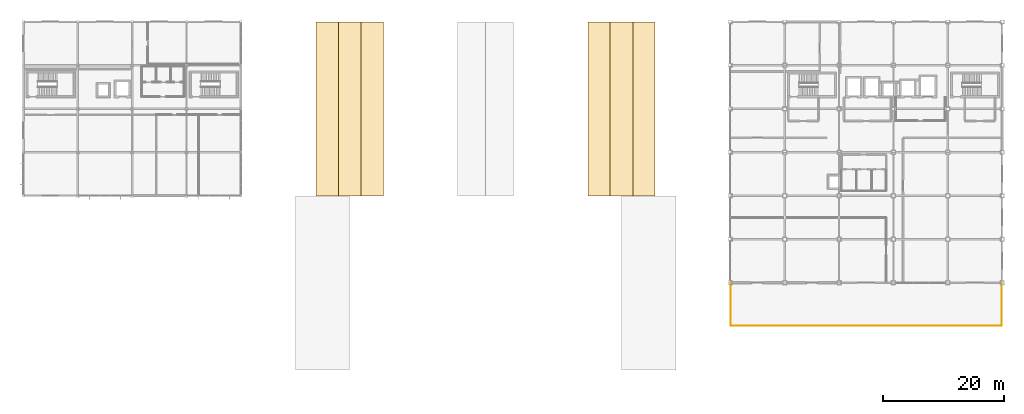
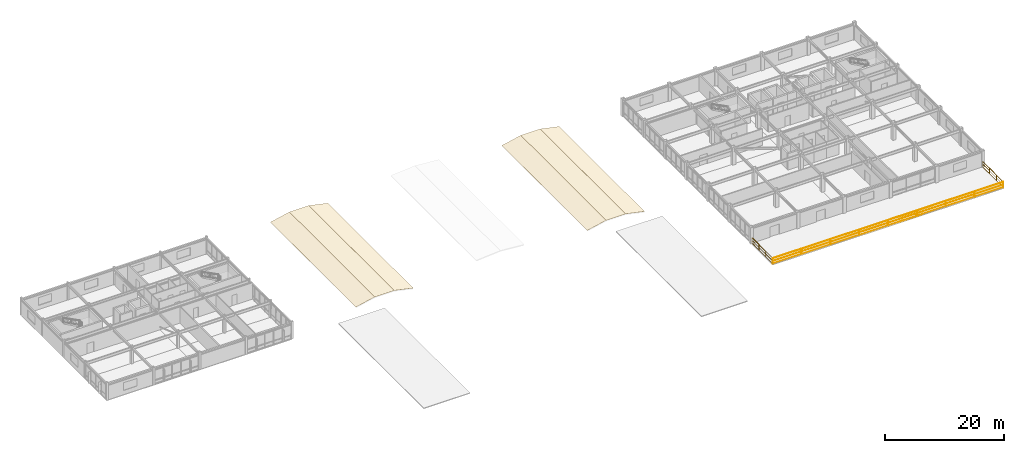
# One storey, part 33 of 34: 6 coverings, 3 railings.
"""IFC4 building model written with IfcOpenShell, lengths in metres."""

from ifc_helpers import new_model, si_unit, direction, frame, origin, origin_2d, place, context, subcontext, project, spatial, polyline, rectangle, outline, extrude, material, layer, layer_set, type_object, element, save


model = new_model("IFC4")

# Units and contexts
model_context = context("Model", 3, precision=1e-05, world=origin(), true_north=direction((0.0, 1.0)))
body_context = subcontext(model_context, "Body", "Model", "MODEL_VIEW")
ifc_project = project(units=[si_unit("LENGTHUNIT", "METRE"), si_unit("AREAUNIT", "SQUARE_METRE"), si_unit("VOLUMEUNIT", "CUBIC_METRE"), si_unit("PLANEANGLEUNIT", "RADIAN"), si_unit("MASSUNIT", "GRAM", prefix="KILO")], contexts=[model_context])

# Site, building, storey
site_placement = place(None, origin())
site = spatial("IfcSite", under=ifc_project, at=site_placement, CompositionType="ELEMENT")
building_placement = place(site_placement, origin())
building = spatial("IfcBuilding", under=site, at=building_placement, Name="Kazanami Central Library", CompositionType="ELEMENT")
storey_placement = place(building_placement, frame((0.0, 0.0, 17.0)))
storey = spatial("IfcBuildingStorey", under=building, at=storey_placement, Name="L05", CompositionType="ELEMENT", Elevation=17.0)

# Coverings
ifc_material_1 = material(Name="Standing-Seam Titanium Zinc")
ifc_layer = layer(ifc_material_1, 0.034912109375, Name="Standing-Seam Titanium Zinc")
ifc_layer_set = layer_set([ifc_layer], Name="Standing-Seam Titanium Zinc")
covering_type = type_object("IfcCoveringType", Name="COV-ZNC-35", PredefinedType="ROOFING", material=ifc_layer_set)
covering_1_placement = place(storey_placement, frame((48.4326171875, 64.800048828125, 2.094482421875), z_axis=(-0.211019955655, 0.0, 0.977481753444), x_axis=(0.977481753444, 0.0, 0.211019955655)))
element("IfcCovering", 1, at=covering_1_placement, inside=storey, type_object=covering_type, Name="Standing-Seam Zinc Barrel Vault Roofing VAULT-WEST Facet 2", PredefinedType="ROOFING", context=body_context, shape_type="SweptSolid", body=[
    extrude(outline(polyline([(0.0, 0.0), (3.768202932073577, 0.0), (3.768202932073577, 28.800048828125), (0.0, 28.800048828125), (0.0, 0.0)])), origin(), (0.0, 0.0, -1.0), 0.034912109375),
])
covering_2_placement = place(storey_placement, frame((52.115966796875, 64.800048828125, 2.884765625), z_axis=(0.0, 0.0, 1.0), x_axis=(1.0, 0.0, 0.0)))
element("IfcCovering", 2, at=covering_2_placement, inside=storey, type_object=covering_type, Name="Standing-Seam Zinc Barrel Vault Roofing VAULT-WEST Facet 3", PredefinedType="ROOFING", context=body_context, shape_type="SweptSolid", body=[
    extrude(outline(polyline([(0.0, 0.0), (3.76806640625, 0.0), (3.76806640625, 28.800048828125), (0.0, 28.800048828125), (0.0, 0.0)])), origin(), (0.0, 0.0, -1.0), 0.034912109375),
])
for number, where, z_axis, x_axis, name in (
    (3, (55.884033203125, 64.800048828125, 2.8896484375), (0.211019955655, 0.0, 0.977481753444), (0.977481753444, 0.0, -0.211019955655), "Standing-Seam Zinc Barrel Vault Roofing VAULT-WEST Facet 4"),
    (4, (93.4326171875, 64.800048828125, 2.094482421875), (-0.211019955655, 0.0, 0.977481753444), (0.977481753444, 0.0, 0.211019955655), "Standing-Seam Zinc Barrel Vault Roofing VAULT-EAST Facet 2"),
):
    element("IfcCovering", number, at=place(storey_placement, frame(where, z_axis=z_axis, x_axis=x_axis)), inside=storey, type_object=covering_type, Name=name, PredefinedType="ROOFING", context=body_context, shape_type="SweptSolid", body=[
        extrude(outline(polyline([(0.0, 0.0), (3.768202932073577, 0.0), (3.768202932073577, 28.800048828125), (0.0, 28.800048828125), (0.0, 0.0)])), origin(), (0.0, 0.0, -1.0), 0.034912109375),
    ])
covering_3_placement = place(storey_placement, frame((97.115966796875, 64.800048828125, 2.884765625), z_axis=(0.0, 0.0, 1.0), x_axis=(1.0, 0.0, 0.0)))
element("IfcCovering", 5, at=covering_3_placement, inside=storey, type_object=covering_type, Name="Standing-Seam Zinc Barrel Vault Roofing VAULT-EAST Facet 3", PredefinedType="ROOFING", context=body_context, shape_type="SweptSolid", body=[
    extrude(outline(polyline([(0.0, 0.0), (3.76806640625, 0.0), (3.76806640625, 28.800048828125), (0.0, 28.800048828125), (0.0, 0.0)])), origin(), (0.0, 0.0, -1.0), 0.034912109375),
])
covering_4_placement = place(storey_placement, frame((100.884033203125, 64.800048828125, 2.8896484375), z_axis=(0.211019955655, 0.0, 0.977481753444), x_axis=(0.977481753444, 0.0, -0.211019955655)))
element("IfcCovering", 6, at=covering_4_placement, inside=storey, type_object=covering_type, Name="Standing-Seam Zinc Barrel Vault Roofing VAULT-EAST Facet 4", PredefinedType="ROOFING", context=body_context, shape_type="SweptSolid", body=[
    extrude(outline(polyline([(0.0, 0.0), (3.768202932073577, 0.0), (3.768202932073577, 28.800048828125), (0.0, 28.800048828125), (0.0, 0.0)])), origin(), (0.0, 0.0, -1.0), 0.034912109375),
])

# Railings
ifc_material_2 = material(Name="Stainless Steel SUS304", Category="steel")
railing_type = type_object("IfcRailingType", Name="RAL-GR-T1", PredefinedType="GUARDRAIL", material=ifc_material_2)
railing_placement = place(storey_placement, frame((117.080078125, 43.280029296875, 0.0)))
element("IfcRailing", 7, at=railing_placement, inside=storey, type_object=railing_type, Name="Terrace Perimeter Guard Closed-Stack South Reading Terrace L05 (South)", PredefinedType="GUARDRAIL", context=body_context, shape_type="SweptSolid", body=[
    extrude(rectangle(XDim=0.0439453125, YDim=0.0439453125, at=origin_2d()), frame((0.02587890625, 0.0, 1.1279296875), z_axis=(1.0, 0.0, 0.0), x_axis=(0.0, 1.0, 0.0)), (0.0, 0.0, 1.0), 44.787841796875),
    extrude(rectangle(XDim=0.02392578125, YDim=0.02392578125, at=origin_2d()), frame((0.02587890625, 0.0, 0.015869140625), z_axis=(1.0, 0.0, 0.0), x_axis=(0.0, 1.0, 0.0)), (0.0, 0.0, 1.0), 44.787841796875),
    extrude(rectangle(XDim=0.02392578125, YDim=0.02392578125, at=origin_2d()), frame((0.02587890625, 0.0, 0.574951171875), z_axis=(1.0, 0.0, 0.0), x_axis=(0.0, 1.0, 0.0)), (0.0, 0.0, 1.0), 44.787841796875),
    extrude(rectangle(XDim=0.035888671875, YDim=0.035888671875, at=origin_2d()), origin(), (0.0, 0.0, 1.0), 1.10205078125),
    extrude(rectangle(XDim=0.035888671875, YDim=0.035888671875, at=origin_2d()), frame((5.60498046875, 0.0, 0.0)), (0.0, 0.0, 1.0), 1.10205078125),
    extrude(rectangle(XDim=0.035888671875, YDim=0.035888671875, at=origin_2d()), frame((11.2099609375, 0.0, 0.0)), (0.0, 0.0, 1.0), 1.10205078125),
    extrude(rectangle(XDim=0.035888671875, YDim=0.035888671875, at=origin_2d()), frame((16.81494140625, 0.0, 0.0)), (0.0, 0.0, 1.0), 1.10205078125),
    extrude(rectangle(XDim=0.035888671875, YDim=0.035888671875, at=origin_2d()), frame((22.419921875, 0.0, 0.0)), (0.0, 0.0, 1.0), 1.10205078125),
    extrude(rectangle(XDim=0.035888671875, YDim=0.035888671875, at=origin_2d()), frame((28.02490234375, 0.0, 0.0)), (0.0, 0.0, 1.0), 1.10205078125),
    extrude(rectangle(XDim=0.035888671875, YDim=0.035888671875, at=origin_2d()), frame((33.6298828125, 0.0, 0.0)), (0.0, 0.0, 1.0), 1.10205078125),
    extrude(rectangle(XDim=0.035888671875, YDim=0.035888671875, at=origin_2d()), frame((39.23486328125, 0.0, 0.0)), (0.0, 0.0, 1.0), 1.10205078125),
    extrude(rectangle(XDim=0.035888671875, YDim=0.035888671875, at=origin_2d()), frame((44.83984375, 0.0, 0.0)), (0.0, 0.0, 1.0), 1.10205078125),
])
for number, where, name in (
    (8, (117.080078125, 43.280029296875, 0.0), "Terrace Perimeter Guard Closed-Stack South Reading Terrace L05 (West)"),
    (9, (161.919921875, 43.280029296875, 0.0), "Terrace Perimeter Guard Closed-Stack South Reading Terrace L05 (East)"),
):
    element("IfcRailing", number, at=place(storey_placement, frame(where)), inside=storey, type_object=railing_type, Name=name, PredefinedType="GUARDRAIL", context=body_context, shape_type="SweptSolid", body=[
        extrude(rectangle(XDim=0.0439453125, YDim=0.0439453125, at=origin_2d()), frame((0.0, 0.02587890625, 1.1279296875), z_axis=(0.0, 1.0, 0.0), x_axis=(-1.0, 0.0, 0.0)), (0.0, 0.0, 1.0), 6.988037109375),
        extrude(rectangle(XDim=0.02392578125, YDim=0.02392578125, at=origin_2d()), frame((0.0, 0.02587890625, 0.015869140625), z_axis=(0.0, 1.0, 0.0), x_axis=(-1.0, 0.0, 0.0)), (0.0, 0.0, 1.0), 6.988037109375),
        extrude(rectangle(XDim=0.02392578125, YDim=0.02392578125, at=origin_2d()), frame((0.0, 0.02587890625, 0.574951171875), z_axis=(0.0, 1.0, 0.0), x_axis=(-1.0, 0.0, 0.0)), (0.0, 0.0, 1.0), 6.988037109375),
        extrude(rectangle(XDim=0.035888671875, YDim=0.035888671875, at=origin_2d()), origin(), (0.0, 0.0, 1.0), 1.10205078125),
        extrude(rectangle(XDim=0.035888671875, YDim=0.035888671875, at=origin_2d()), frame((0.0, 2.3466796875, 0.0)), (0.0, 0.0, 1.0), 1.10205078125),
        extrude(rectangle(XDim=0.035888671875, YDim=0.035888671875, at=origin_2d()), frame((0.0, 4.693359375, 0.0)), (0.0, 0.0, 1.0), 1.10205078125),
        extrude(rectangle(XDim=0.035888671875, YDim=0.035888671875, at=origin_2d()), frame((0.0, 7.0400390625, 0.0)), (0.0, 0.0, 1.0), 1.10205078125),
    ])

save(model, "model.ifc")
